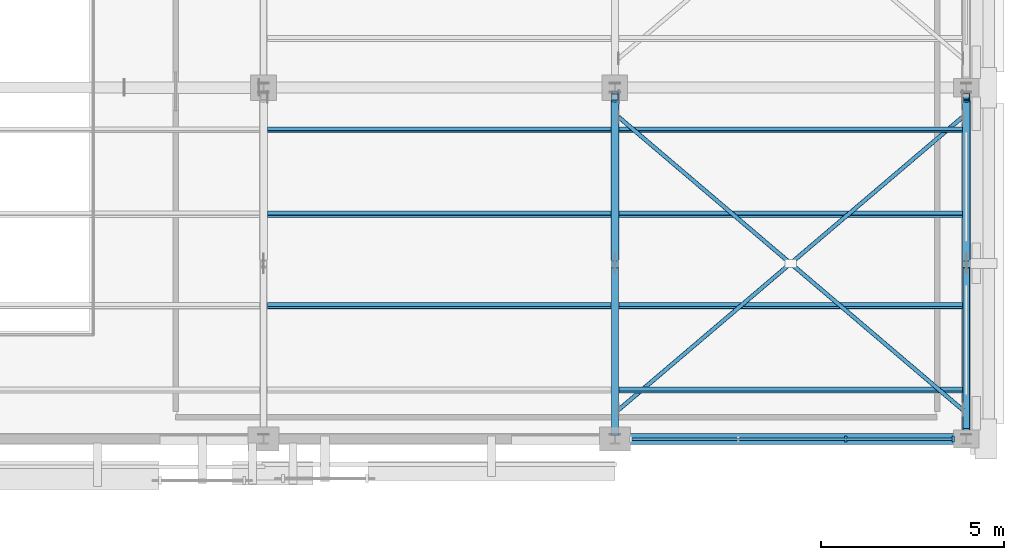
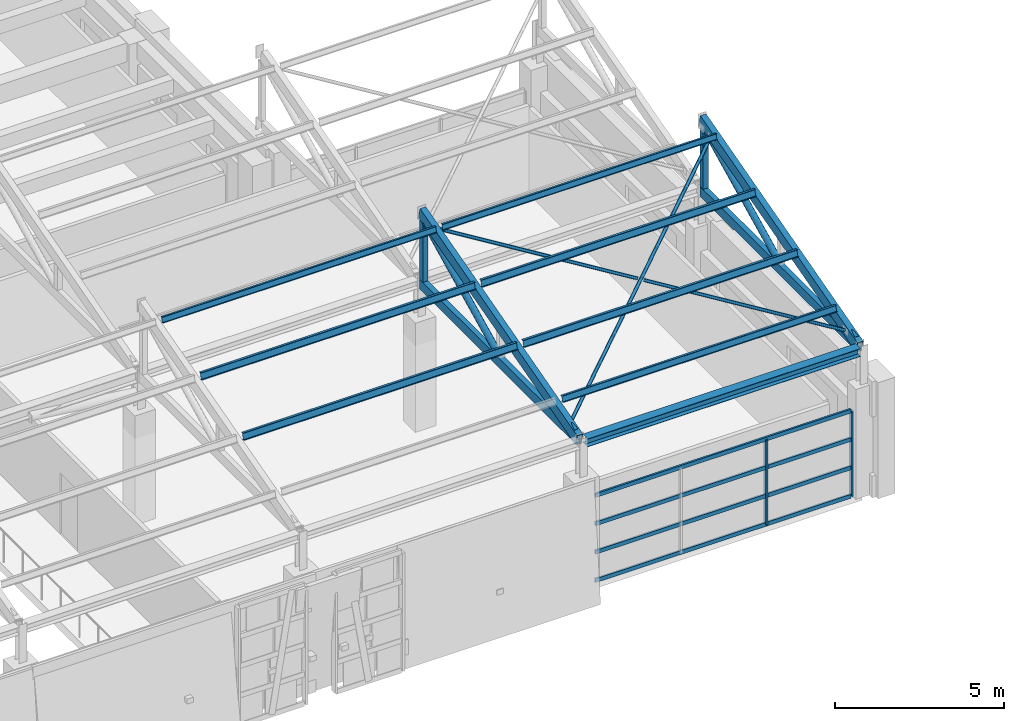
# One storey, part 17 of 58: 26 members, 1 beam, 1 element without a shape of its own.
"""IFC4 building model written with IfcOpenShell, lengths in metres."""

import ifcopenshell
import ifcopenshell.guid

model = None  # the IFC model being written
_history = None  # IfcOwnerHistory: only IFC2X3 demands one
_inside = {}  # id of a spatial element -> (the spatial element, [elements in it])
_under = {}  # id of a project, library or spatial element -> (it, [spatial elements below it])
_declared = {}  # id of a project -> (the project, [libraries it declares])
_typed = {}  # id of a type object -> (the type object, [elements of that type])
_made_of = {}  # id of a material, layer set ... -> (it, [elements and type objects made of it])


def new_model(schema):
    """Start an empty IFC model of exactly this schema.

    Asked for "IFC4X3", IfcOpenShell would pick the latest addendum, in which some entities
    have other attributes; the version numbers below select the first issue.
    IFC2X3 requires an IfcOwnerHistory on every rooted entity: one is made here for all.
    """
    global model, _history
    if schema == "IFC4X3":
        model = ifcopenshell.file(schema_version=(4, 3, 0, 0))
    else:
        model = ifcopenshell.file(schema=schema)
    _inside.clear()
    _under.clear()
    _declared.clear()
    _typed.clear()
    _made_of.clear()
    _history = None
    if model.schema == "IFC2X3":
        org = make("IfcOrganization", Name="unknown")
        user = make(
            "IfcPersonAndOrganization",
            ThePerson=make("IfcPerson", FamilyName="unknown"),
            TheOrganization=org,
        )
        app = make(
            "IfcApplication",
            ApplicationDeveloper=org,
            Version="unknown",
            ApplicationFullName="unknown",
            ApplicationIdentifier="unknown",
        )
        _history = make(
            "IfcOwnerHistory",
            OwningUser=user,
            OwningApplication=app,
            ChangeAction="ADDED",
            CreationDate=0,
        )
    return model


def make(cls, **values):
    """One entity of the class cls with the attributes given. An attribute that is None is left unset."""
    return model.create_entity(
        cls, **{name: value for name, value in values.items() if value is not None}
    )


def rooted(cls, **values):
    """An entity with a GlobalId (a new one), such as an element, a storey or a relation."""
    return make(cls, GlobalId=ifcopenshell.guid.new(), OwnerHistory=_history, **values)


def si_unit(unit_type, name, prefix=None):
    """IfcSIUnit, for example si_unit("LENGTHUNIT", "METRE", prefix="MILLI")."""
    return make("IfcSIUnit", UnitType=unit_type, Prefix=prefix, Name=name)


def assignment(units):
    """IfcUnitAssignment: the units of a project."""
    return None if units is None else make("IfcUnitAssignment", Units=units)


def point(xyz):
    """IfcCartesianPoint."""
    return None if xyz is None else make("IfcCartesianPoint", Coordinates=xyz)


def direction(xyz):
    """IfcDirection."""
    return None if xyz is None else make("IfcDirection", DirectionRatios=xyz)


def frame(location, z_axis=None, x_axis=None):
    """IfcAxis2Placement3D, a coordinate frame: its origin and axes. An axis left out is left unset."""
    return make(
        "IfcAxis2Placement3D",
        Location=point(location),
        Axis=direction(z_axis),
        RefDirection=direction(x_axis),
    )


def frame_2d(location, x_axis=None):
    """IfcAxis2Placement2D, a coordinate frame in the plane: its origin and x axis."""
    return make(
        "IfcAxis2Placement2D", Location=point(location), RefDirection=direction(x_axis)
    )


def origin():
    """The frame at (0, 0, 0) with its axes left unset."""
    return frame((0.0, 0.0, 0.0))


def origin_2d():
    """The frame at (0, 0) in the plane with its x axis left unset."""
    return frame_2d((0.0, 0.0))


def place(relative_to, where):
    """IfcLocalPlacement: puts the frame where relative to a parent placement (None: the world)."""
    return make(
        "IfcLocalPlacement", PlacementRelTo=relative_to, RelativePlacement=where
    )


def context(
    kind, dimensions, precision=None, world=None, true_north=None, identifier=None
):
    """IfcGeometricRepresentationContext, for example the 3D "Model" context."""
    return make(
        "IfcGeometricRepresentationContext",
        ContextIdentifier=identifier,
        ContextType=kind,
        CoordinateSpaceDimension=dimensions,
        Precision=precision,
        WorldCoordinateSystem=world,
        TrueNorth=true_north,
    )


def subcontext(parent, identifier, kind, view, scale=None):
    """IfcGeometricRepresentationSubContext, for example "Body" below "Model"."""
    return make(
        "IfcGeometricRepresentationSubContext",
        ContextIdentifier=identifier,
        ContextType=kind,
        ParentContext=parent,
        TargetScale=scale,
        TargetView=view,
    )


def project(units=None, contexts=None):
    """IfcProject with its units and contexts."""
    return rooted(
        "IfcProject",
        Name="project",
        RepresentationContexts=contexts,
        UnitsInContext=assignment(units),
    )


def spatial(cls, under=None, at=None, **own):
    """A site, building, storey or space (cls), placed at a placement, below another one or the project."""
    s = rooted(cls, ObjectPlacement=at, **own)
    if under is not None:
        _under.setdefault(under.id(), (under, []))[1].append(s)
    return s


def profile(cls, at=None, kind="AREA", **sizes):
    """A parametric profile (cls). Its sizes go by their IFC names, for example OverallWidth=200.0."""
    return make(cls, ProfileType=kind, Position=at, **sizes)


def rectangle(**sizes):
    """IfcRectangleProfileDef."""
    return profile("IfcRectangleProfileDef", **sizes)


def hollow_rectangle(**sizes):
    """IfcRectangleHollowProfileDef."""
    return profile("IfcRectangleHollowProfileDef", **sizes)


def hollow_circle(**sizes):
    """IfcCircleHollowProfileDef."""
    return profile("IfcCircleHollowProfileDef", **sizes)


def i_section(**sizes):
    """IfcIShapeProfileDef."""
    return profile("IfcIShapeProfileDef", **sizes)


def extrude(swept, where, along, depth):
    """IfcExtrudedAreaSolid: the profile swept, set in the frame where, extruded along a direction by depth."""
    return make(
        "IfcExtrudedAreaSolid",
        SweptArea=swept,
        Position=where,
        ExtrudedDirection=direction(along),
        Depth=depth,
    )


def shape(context_of_items, identifier, shape_type, items):
    """IfcShapeRepresentation: the items that make up one representation, for example the "Body"."""
    return make(
        "IfcShapeRepresentation",
        ContextOfItems=context_of_items,
        RepresentationIdentifier=identifier,
        RepresentationType=shape_type,
        Items=items,
    )


def material(Name=None, Category=None):
    """IfcMaterial."""
    return make("IfcMaterial", Name=Name, Category=Category)


def layer(
    of_material, thickness, ventilated=None, Name=None, Category=None, Priority=None
):
    """IfcMaterialLayer: one layer of a wall or slab, of a material (None: an air gap)."""
    return make(
        "IfcMaterialLayer",
        Material=of_material,
        LayerThickness=thickness,
        IsVentilated=ventilated,
        Name=Name,
        Category=Category,
        Priority=Priority,
    )


def layer_set(layers, Name=None):
    """IfcMaterialLayerSet."""
    return make("IfcMaterialLayerSet", MaterialLayers=layers, LayerSetName=Name)


def material_profile(
    of_material, cross_section, Name=None, Category=None, Priority=None
):
    """IfcMaterialProfile: a cross section and its material."""
    return make(
        "IfcMaterialProfile",
        Name=Name,
        Material=of_material,
        Profile=cross_section,
        Priority=Priority,
        Category=Category,
    )


def profile_set(profiles, Name=None, composite=None):
    """IfcMaterialProfileSet."""
    return make(
        "IfcMaterialProfileSet",
        Name=Name,
        MaterialProfiles=profiles,
        CompositeProfile=composite,
    )


def made_of(thing, what):
    """Note that an element or type object is made of a material, layer set ...; save() writes the relation."""
    if what is not None:
        _made_of.setdefault(what.id(), (what, []))[1].append(thing)
    return thing


def type_object(cls, material=None, **own):
    """A type object (cls), such as IfcWallType, which elements share."""
    return made_of(rooted(cls, **own), material)


def element(
    cls,
    number,
    at=None,
    inside=None,
    cuts=None,
    type_object=None,
    material=None,
    context=None,
    identifier="Body",
    shape_type=None,
    held_by="IfcProductDefinitionShape",
    body=None,
    shapes=None,
    **own,
):
    """One element of the class cls, such as IfcWall. Its Tag is "e" and its number.

    at: its placement. inside: the storey or other place that contains it. cuts: it is an
    opening in that element (IfcRelVoidsElement). A single representation is given by context,
    identifier, shape_type and body (its items); several are given by shapes. held_by: the class
    of the entity that holds the representations. save() writes the other relations.
    """
    e = rooted(cls, Tag="e%d" % number, ObjectPlacement=at, **own)
    if body is not None:
        shapes = [shape(context, identifier, shape_type, body)]
    if shapes is not None:
        e.Representation = make(held_by, Representations=shapes)
    if inside is not None:
        _inside.setdefault(inside.id(), (inside, []))[1].append(e)
    if cuts is not None:
        rooted(
            "IfcRelVoidsElement", RelatingBuildingElement=cuts, RelatedOpeningElement=e
        )
    if type_object is not None:
        _typed.setdefault(type_object.id(), (type_object, []))[1].append(e)
    return made_of(e, material)


def aggregate(whole, parts):
    """IfcRelAggregates: a whole, such as a stair, and the parts it consists of."""
    return rooted("IfcRelAggregates", RelatingObject=whole, RelatedObjects=parts)


def save(model, path):
    """Write the relations noted so far, then the file.

    IfcRelAggregates (storeys below a building ...), IfcRelContainedInSpatialStructure (elements
    in a storey), IfcRelDefinesByType, IfcRelAssociatesMaterial and IfcRelDeclares: one each for
    every whole, place, type object, material and project.
    """
    for whole, parts in _under.values():
        aggregate(whole, parts)
    for where, things in _inside.values():
        rooted(
            "IfcRelContainedInSpatialStructure",
            RelatedElements=things,
            RelatingStructure=where,
        )
    for kind, things in _typed.values():
        rooted("IfcRelDefinesByType", RelatedObjects=things, RelatingType=kind)
    for what, things in _made_of.values():
        rooted("IfcRelAssociatesMaterial", RelatedObjects=things, RelatingMaterial=what)
    for by, libraries in _declared.values():
        rooted("IfcRelDeclares", RelatingContext=by, RelatedDefinitions=libraries)
    model.write(path)


model = new_model("IFC4")

# Units and contexts
model_context = context("Model", 3, precision=1e-05, world=origin(), true_north=direction((0.0, 1.0)))
body_context = subcontext(model_context, "Body", "Model", "MODEL_VIEW")
ifc_project = project(units=[si_unit("LENGTHUNIT", "METRE"), si_unit("AREAUNIT", "SQUARE_METRE"), si_unit("VOLUMEUNIT", "CUBIC_METRE"), si_unit("PLANEANGLEUNIT", "RADIAN"), si_unit("MASSUNIT", "GRAM", prefix="KILO")], contexts=[model_context])

# Site, building, storey
site_placement = place(None, origin())
site = spatial("IfcSite", under=ifc_project, at=site_placement, CompositionType="ELEMENT")
building_placement = place(site_placement, origin())
building = spatial("IfcBuilding", under=site, at=building_placement, Name="Bempovik Park Faculty of Sciences", CompositionType="ELEMENT")
storey_placement = place(building_placement, frame((0.0, 0.0, 18.300048828125)))
storey = spatial("IfcBuildingStorey", under=building, at=storey_placement, Name="L04", CompositionType="ELEMENT", Elevation=18.300048828125)

# Beam
ifc_material_1 = material(Name="Steel S355", Category="steel")
ifc_material_profile_1 = material_profile(ifc_material_1, i_section(OverallWidth=0.300048828125, OverallDepth=0.2900390625, WebThickness=0.008544921875, FlangeThickness=0.013916015625, at=origin_2d()), Name="HEA 300")
ifc_profile_set_1 = profile_set([ifc_material_profile_1], Name="Steel S355")
beam_type = type_object("IfcBeamType", Name="B-131 HEA 300", PredefinedType="BEAM", material=ifc_profile_set_1)
beam_placement = place(storey_placement, frame((117.72998046875, 67.800048828125, 5.179931640625), z_axis=(1.0, 0.0, 0.0), x_axis=(0.0, 1.0, 0.0)))
element("IfcBeam", 1, at=beam_placement, inside=storey, type_object=beam_type, Name="Sawtooth Valley Tie Beam V2-B1 (117.6-127.2)", PredefinedType="BEAM", context=body_context, shape_type="SweptSolid", body=[
    extrude(i_section(OverallWidth=0.300048828125, OverallDepth=0.2900390625, WebThickness=0.008544921875, FlangeThickness=0.013916015625, at=origin_2d()), origin(), (0.0, 0.0, 1.0), 9.340087890625),
])

# Members
ifc_material_profile_2 = material_profile(ifc_material_1, hollow_rectangle(XDim=0.175048828125, YDim=0.35009765625, WallThickness=0.012451171875, at=origin_2d()), Name="RHS 350x175x12.5")
ifc_profile_set_2 = profile_set([ifc_material_profile_2], Name="Steel S355")
member_type_1 = type_object("IfcMemberType", Name="M-15 RHS 350x175x12.5", PredefinedType="CHORD", material=ifc_profile_set_2)
for number, where, z_axis, x_axis, name in (
    (2, (117.60009765625, 67.93603515625, 5.179931640625), (0.0, 1.0, 0.0), (-1.0, 0.0, 0.0), "Sawtooth Bottom Chord V2-B1 (117.6)"),
    (3, (127.199951171875, 67.93603515625, 5.179931640625), (0.0, 1.0, 0.0), (-1.0, 0.0, 0.0), "Sawtooth Bottom Chord V2-B1 (127.2)"),
):
    element("IfcMember", number, at=place(storey_placement, frame(where, z_axis=z_axis, x_axis=x_axis)), inside=storey, type_object=member_type_1, Name=name, PredefinedType="CHORD", context=body_context, shape_type="SweptSolid", body=[
        extrude(hollow_rectangle(XDim=0.175048828125, YDim=0.35009765625, WallThickness=0.012451171875, at=origin_2d()), origin(), (0.0, 0.0, 1.0), 9.327880859375),
    ])
ifc_material_profile_3 = material_profile(ifc_material_1, i_section(OverallWidth=0.110107421875, OverallDepth=0.219970703125, WebThickness=0.005859375, FlangeThickness=0.00927734375, at=origin_2d()), Name="IPE 220")
ifc_profile_set_3 = profile_set([ifc_material_profile_3], Name="Steel S355")
member_type_2 = type_object("IfcMemberType", Name="M-18 IPE 220", PredefinedType="PURLIN", material=ifc_profile_set_3)
member_1_placement = place(storey_placement, frame((117.7060546875, 69.14404296875, 5.87744140625), z_axis=(1.0, 0.0, 0.0), x_axis=(0.0, 0.965925826289, -0.258819045103)))
element("IfcMember", 4, at=member_1_placement, inside=storey, type_object=member_type_2, Name="Sawtooth Roof Purlin V2-B1 (117.6-127.2) #1", PredefinedType="PURLIN", context=body_context, shape_type="SweptSolid", body=[
    extrude(i_section(OverallWidth=0.110107421875, OverallDepth=0.219970703125, WebThickness=0.005859375, FlangeThickness=0.00927734375, at=origin_2d()), origin(), (0.0, 0.0, 1.0), 9.387939453125),
])
ifc_material_profile_4 = material_profile(ifc_material_1, hollow_circle(Radius=0.109619140625, WallThickness=0.010009765625, at=origin_2d()), Name="CHS 219.1x10")
ifc_profile_set_4 = profile_set([ifc_material_profile_4], Name="Steel S355")
member_type_3 = type_object("IfcMemberType", Name="M-22 CHS 219.1x10", PredefinedType="BRACE", material=ifc_profile_set_4)
for number, where, z_axis, x_axis, name in (
    (5, (117.60009765625, 72.705078125, 5.36083984375), (0.0, 0.896782958268, 0.442470706105), (-1.0, 0.0, 0.0), "Sawtooth Web Diagonal 2 V2-B1 (117.6)"),
    (6, (127.199951171875, 72.705078125, 5.36083984375), (0.0, 0.896782958268, 0.442470706105), (-1.0, 0.0, 0.0), "Sawtooth Web Diagonal 2 V2-B1 (127.2)"),
):
    element("IfcMember", number, at=place(storey_placement, frame(where, z_axis=z_axis, x_axis=x_axis)), inside=storey, type_object=member_type_3, Name=name, PredefinedType="BRACE", context=body_context, shape_type="SweptSolid", body=[
        extrude(hollow_circle(Radius=0.109619140625, WallThickness=0.010009765625, at=origin_2d()), origin(), (0.0, 0.0, 1.0), 4.844970703125),
    ])
ifc_material_profile_5 = material_profile(ifc_material_1, hollow_rectangle(XDim=0.179931640625, YDim=0.179931640625, WallThickness=0.008056640625, at=origin_2d()), Name="SHS 180x180x8")
ifc_profile_set_5 = profile_set([ifc_material_profile_5], Name="Steel S355")
member_type_4 = type_object("IfcMemberType", Name="M-40 SHS 180x180x8", PredefinedType="POST", material=ifc_profile_set_5)
for number, where, z_axis, x_axis, name in (
    (7, (117.60009765625, 77.14990234375, 5.36083984375), (0.0, 0.0, 1.0), (1.0, 0.0, 0.0), "Sawtooth North-Light Post V2-B1 (117.6)"),
    (8, (127.199951171875, 77.14990234375, 5.36083984375), (0.0, 0.0, 1.0), (1.0, 0.0, 0.0), "Sawtooth North-Light Post V2-B1 (127.2)"),
):
    element("IfcMember", number, at=place(storey_placement, frame(where, z_axis=z_axis, x_axis=x_axis)), inside=storey, type_object=member_type_4, Name=name, PredefinedType="POST", context=body_context, shape_type="SweptSolid", body=[
        extrude(hollow_rectangle(XDim=0.179931640625, YDim=0.179931640625, WallThickness=0.008056640625, at=origin_2d()), origin(), (0.0, 0.0, 1.0), 2.143798828125),
    ])
ifc_material_profile_6 = material_profile(ifc_material_1, i_section(OverallWidth=0.10009765625, OverallDepth=0.199951171875, WebThickness=0.005615234375, FlangeThickness=0.008544921875, at=origin_2d()), Name="IPE 200")
ifc_profile_set_6 = profile_set([ifc_material_profile_6], Name="Steel S355")
member_type_5 = type_object("IfcMemberType", Name="M-48 IPE 200", PredefinedType="PURLIN", material=ifc_profile_set_6)
for number, where, z_axis, x_axis, name in (
    (9, (108.10595703125, 76.248046875, 7.790771484375), (1.0, 0.0, 0.0), (0.0, 0.965925826289, -0.258819045103), "Sawtooth Roof Purlin V2-B1 (108.0-117.6) #4"),
    (10, (117.7060546875, 76.248046875, 7.790771484375), (1.0, 0.0, 0.0), (0.0, 0.965925826289, -0.258819045103), "Sawtooth Roof Purlin V2-B1 (117.6-127.2) #4"),
):
    element("IfcMember", number, at=place(storey_placement, frame(where, z_axis=z_axis, x_axis=x_axis)), inside=storey, type_object=member_type_5, Name=name, PredefinedType="PURLIN", context=body_context, shape_type="SweptSolid", body=[
        extrude(i_section(OverallWidth=0.10009765625, OverallDepth=0.199951171875, WebThickness=0.005615234375, FlangeThickness=0.008544921875, at=origin_2d()), origin(), (0.0, 0.0, 1.0), 9.387939453125),
    ])
ifc_material_profile_7 = material_profile(ifc_material_1, hollow_rectangle(XDim=0.199951171875, YDim=0.39990234375, WallThickness=0.01611328125, at=origin_2d()), Name="RHS 400x200x16")
ifc_profile_set_7 = profile_set([ifc_material_profile_7], Name="Steel S355")
member_type_6 = type_object("IfcMemberType", Name="M-53 RHS 400x200x16", PredefinedType="CHORD", material=ifc_profile_set_7)
for number, where, z_axis, x_axis, name in (
    (11, (117.60009765625, 67.93603515625, 5.182373046875), (0.0, 0.964017594472, 0.265838442572), (-1.0, 0.0, 0.0), "Sawtooth Top Rafter Chord V2-B1 (117.6)"),
    (12, (127.199951171875, 67.93603515625, 5.182373046875), (0.0, 0.964017594472, 0.265838442572), (-1.0, 0.0, 0.0), "Sawtooth Top Rafter Chord V2-B1 (127.2)"),
):
    element("IfcMember", number, at=place(storey_placement, frame(where, z_axis=z_axis, x_axis=x_axis)), inside=storey, type_object=member_type_6, Name=name, PredefinedType="CHORD", context=body_context, shape_type="SweptSolid", body=[
        extrude(hollow_rectangle(XDim=0.199951171875, YDim=0.39990234375, WallThickness=0.01611328125, at=origin_2d()), origin(), (0.0, 0.0, 1.0), 9.676025390625),
    ])
ifc_material_profile_8 = material_profile(ifc_material_1, hollow_circle(Radius=0.05712890625, WallThickness=0.00634765625, at=origin_2d()), Name="CHS 114.3x6.3")
ifc_profile_set_8 = profile_set([ifc_material_profile_8], Name="Steel S355")
member_type_7 = type_object("IfcMemberType", Name="M-72 CHS 114.3x6.3", PredefinedType="BRACE", material=ifc_profile_set_8)
member_2_placement = place(storey_placement, frame((117.699951171875, 68.60009765625, 5.396728515625), z_axis=(0.750314731652, 0.638555778167, 0.17109740394), x_axis=(-0.648112772192, 0.761544374624, 0.0)))
element("IfcMember", 13, at=member_2_placement, inside=storey, type_object=member_type_7, Name="Sawtooth Continuous Roof X-Brace V2-B1 (117.6-127.2)", PredefinedType="BRACE", context=body_context, shape_type="SweptSolid", body=[
    extrude(hollow_circle(Radius=0.05712890625, WallThickness=0.00634765625, at=origin_2d()), origin(), (0.0, 0.0, 1.0), 12.5283203125),
])
member_3_placement = place(storey_placement, frame((117.699951171875, 76.60009765625, 7.540283203125), z_axis=(0.750308493557, -0.638562944003, -0.171098015896), x_axis=(0.648120115182, 0.761538125307, 0.0)))
element("IfcMember", 14, at=member_3_placement, inside=storey, type_object=member_type_7, Name="Sawtooth Split X-Brace Half A V2-B1 (117.6-127.2)", PredefinedType="BRACE", context=body_context, shape_type="SweptSolid", body=[
    extrude(hollow_circle(Radius=0.05712890625, WallThickness=0.00634765625, at=origin_2d()), origin(), (0.0, 0.0, 1.0), 6.17431640625),
])
member_4_placement = place(storey_placement, frame((122.467529296875, 72.54248046875, 6.453125), z_axis=(0.750327438995, -0.638539524895, -0.171102336154), x_axis=(0.648096839088, 0.761557934214, 0.0)))
element("IfcMember", 15, at=member_4_placement, inside=storey, type_object=member_type_7, Name="Sawtooth Split X-Brace Half B V2-B1 (117.6-127.2)", PredefinedType="BRACE", context=body_context, shape_type="SweptSolid", body=[
    extrude(hollow_circle(Radius=0.05712890625, WallThickness=0.00634765625, at=origin_2d()), origin(), (0.0, 0.0, 1.0), 6.174072265625),
])
ifc_material_profile_9 = material_profile(ifc_material_1, hollow_circle(Radius=0.096923828125, WallThickness=0.008056640625, at=origin_2d()), Name="CHS 193.7x8")
ifc_profile_set_9 = profile_set([ifc_material_profile_9], Name="Steel S355")
member_type_8 = type_object("IfcMemberType", Name="M-74 CHS 193.7x8", PredefinedType="BRACE", material=ifc_profile_set_9)
for number, where, z_axis, x_axis, name in (
    (16, (117.60009765625, 68.110107421875, 5.36083984375), (0.0, 0.980118341504, 0.198413801554), (-1.0, 0.0, 0.0), "Sawtooth Web Diagonal 1 V2-B1 (117.6)"),
    (17, (127.199951171875, 68.110107421875, 5.36083984375), (0.0, 0.980118341504, 0.198413801554), (-1.0, 0.0, 0.0), "Sawtooth Web Diagonal 1 V2-B1 (127.2)"),
):
    element("IfcMember", number, at=place(storey_placement, frame(where, z_axis=z_axis, x_axis=x_axis)), inside=storey, type_object=member_type_8, Name=name, PredefinedType="BRACE", context=body_context, shape_type="SweptSolid", body=[
        extrude(hollow_circle(Radius=0.096923828125, WallThickness=0.008056640625, at=origin_2d()), origin(), (0.0, 0.0, 1.0), 4.473876953125),
    ])
ifc_material_profile_10 = material_profile(ifc_material_1, i_section(OverallWidth=0.1201171875, OverallDepth=0.239990234375, WebThickness=0.006103515625, FlangeThickness=0.009765625, at=origin_2d()), Name="IPE 240")
ifc_profile_set_10 = profile_set([ifc_material_profile_10], Name="Steel S355")
member_type_9 = type_object("IfcMemberType", Name="M-86 IPE 240", PredefinedType="PURLIN", material=ifc_profile_set_10)
for number, where, z_axis, x_axis, name in (
    (18, (108.10595703125, 71.447998046875, 6.48486328125), (1.0, 0.0, 0.0), (0.0, 0.965925826289, -0.258819045103), "Sawtooth Roof Purlin V2-B1 (108.0-117.6) #2"),
    (19, (108.10595703125, 73.944091796875, 7.153564453125), (1.0, 0.0, 0.0), (0.0, 0.965925826289, -0.258819045103), "Sawtooth Roof Purlin V2-B1 (108.0-117.6) #3"),
    (20, (117.7060546875, 71.447998046875, 6.48486328125), (1.0, 0.0, 0.0), (0.0, 0.965925826289, -0.258819045103), "Sawtooth Roof Purlin V2-B1 (117.6-127.2) #2"),
    (21, (117.7060546875, 73.944091796875, 7.153564453125), (1.0, 0.0, 0.0), (0.0, 0.965925826289, -0.258819045103), "Sawtooth Roof Purlin V2-B1 (117.6-127.2) #3"),
):
    element("IfcMember", number, at=place(storey_placement, frame(where, z_axis=z_axis, x_axis=x_axis)), inside=storey, type_object=member_type_9, Name=name, PredefinedType="PURLIN", context=body_context, shape_type="SweptSolid", body=[
        extrude(i_section(OverallWidth=0.1201171875, OverallDepth=0.239990234375, WebThickness=0.006103515625, FlangeThickness=0.009765625, at=origin_2d()), origin(), (0.0, 0.0, 1.0), 9.387939453125),
    ])

# Curtain wall, members
ifc_material_2 = material(Name="Tempered laminated low-E glass", Category="glass")
ifc_layer = layer(ifc_material_2, 0.159912109375)
ifc_layer_set = layer_set([ifc_layer], Name="Tempered laminated low-E glass")
curtain_wall_type = type_object("IfcCurtainWallType", Name="CW-41 Curtain 6600x3800", PredefinedType="USERDEFINED", material=ifc_layer_set)
curtain_wall_placement = place(storey_placement, origin())
curtain_wall = element("IfcCurtainWall", 22, at=curtain_wall_placement, inside=storey, type_object=curtain_wall_type, Name="L04 Unitised Curtain Wall (67.8,117.6)", ObjectType="UNITISED CURTAIN WALL", PredefinedType="USERDEFINED")
ifc_material_3 = material(Name="Anodised architectural bronze", Category="aluminium")
ifc_material_profile_11 = material_profile(ifc_material_3, rectangle(XDim=0.06494140625, YDim=0.169921875, at=origin_2d()), Name="ALU-M 65x170")
ifc_profile_set_11 = profile_set([ifc_material_profile_11], Name="Anodised architectural bronze")
member_type_10 = type_object("IfcMemberType", Name="ML-15 ALU-M 65x170", PredefinedType="MULLION", material=ifc_profile_set_11)
member_5_placement = place(storey_placement, frame((123.90771484375, 67.800048828125, 0.0), z_axis=(0.0, 0.0, 1.0), x_axis=(1.0, 0.0, 0.0)))
member_5 = element("IfcMember", 23, at=member_5_placement, type_object=member_type_10, Name="CW-BAY-L04-678-1176 Mullion 2", PredefinedType="MULLION", context=body_context, shape_type="SweptSolid", body=[
    extrude(rectangle(XDim=0.06494140625, YDim=0.169921875, at=origin_2d()), origin(), (0.0, 0.0, 1.0), 3.079833984375),
])
member_6_placement = place(storey_placement, frame((126.847900390625, 67.800048828125, 0.0), z_axis=(0.0, 0.0, 1.0), x_axis=(1.0, 0.0, 0.0)))
member_6 = element("IfcMember", 24, at=member_6_placement, type_object=member_type_10, Name="CW-BAY-L04-678-1176 Mullion 3", PredefinedType="MULLION", context=body_context, shape_type="SweptSolid", body=[
    extrude(rectangle(XDim=0.06494140625, YDim=0.169921875, at=origin_2d()), origin(), (0.0, 0.0, 1.0), 3.079833984375),
])
ifc_material_profile_12 = material_profile(ifc_material_3, rectangle(XDim=0.06494140625, YDim=0.139892578125, at=origin_2d()), Name="ALU-T 65x140")
ifc_profile_set_12 = profile_set([ifc_material_profile_12], Name="Anodised architectural bronze")
member_type_11 = type_object("IfcMemberType", Name="TR-17 ALU-T 65x140", PredefinedType="USERDEFINED", material=ifc_profile_set_12)
member_7_placement = place(storey_placement, frame((118.06689453125, 67.800048828125, 0.0), z_axis=(1.0, 0.0, 0.0), x_axis=(0.0, 1.0, 0.0)))
member_7 = element("IfcMember", 25, at=member_7_placement, type_object=member_type_11, Name="CW-BAY-L04-678-1176 Transom 0", ObjectType="TRANSOM", PredefinedType="USERDEFINED", context=body_context, shape_type="SweptSolid", body=[
    extrude(rectangle(XDim=0.06494140625, YDim=0.139892578125, at=origin_2d()), origin(), (0.0, 0.0, 1.0), 8.7412109375),
])
member_8_placement = place(storey_placement, frame((118.06689453125, 67.800048828125, 1.026611328125), z_axis=(1.0, 0.0, 0.0), x_axis=(0.0, 1.0, 0.0)))
member_8 = element("IfcMember", 26, at=member_8_placement, type_object=member_type_11, Name="CW-BAY-L04-678-1176 Transom 1", ObjectType="TRANSOM", PredefinedType="USERDEFINED", context=body_context, shape_type="SweptSolid", body=[
    extrude(rectangle(XDim=0.06494140625, YDim=0.139892578125, at=origin_2d()), origin(), (0.0, 0.0, 1.0), 8.7412109375),
])
member_9_placement = place(storey_placement, frame((118.06689453125, 67.800048828125, 2.05322265625), z_axis=(1.0, 0.0, 0.0), x_axis=(0.0, 1.0, 0.0)))
member_9 = element("IfcMember", 27, at=member_9_placement, type_object=member_type_11, Name="CW-BAY-L04-678-1176 Transom 2", ObjectType="TRANSOM", PredefinedType="USERDEFINED", context=body_context, shape_type="SweptSolid", body=[
    extrude(rectangle(XDim=0.06494140625, YDim=0.139892578125, at=origin_2d()), origin(), (0.0, 0.0, 1.0), 8.7412109375),
])
member_10_placement = place(storey_placement, frame((118.06689453125, 67.800048828125, 3.079833984375), z_axis=(1.0, 0.0, 0.0), x_axis=(0.0, 1.0, 0.0)))
member_10 = element("IfcMember", 28, at=member_10_placement, type_object=member_type_11, Name="CW-BAY-L04-678-1176 Transom 3", ObjectType="TRANSOM", PredefinedType="USERDEFINED", context=body_context, shape_type="SweptSolid", body=[
    extrude(rectangle(XDim=0.06494140625, YDim=0.139892578125, at=origin_2d()), origin(), (0.0, 0.0, 1.0), 8.7412109375),
])
aggregate(curtain_wall, [member_5, member_6, member_7, member_8, member_9, member_10])

save(model, "model.ifc")
